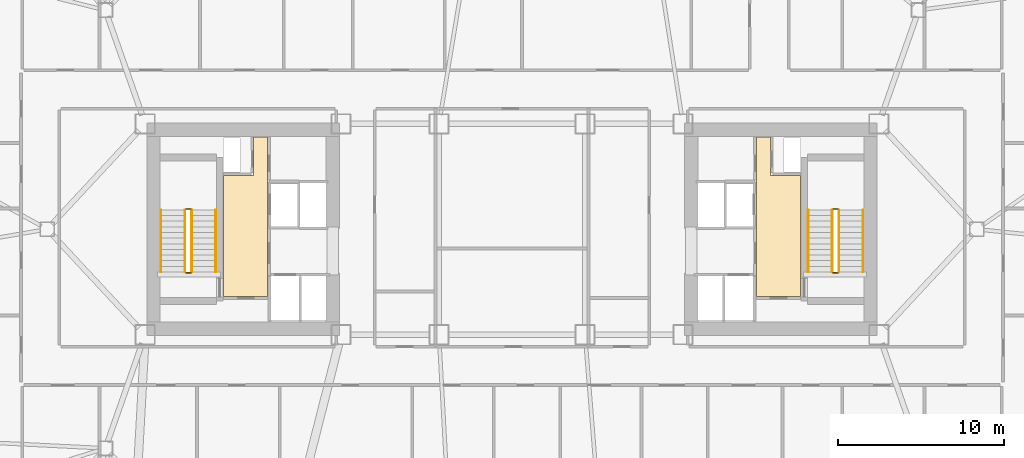
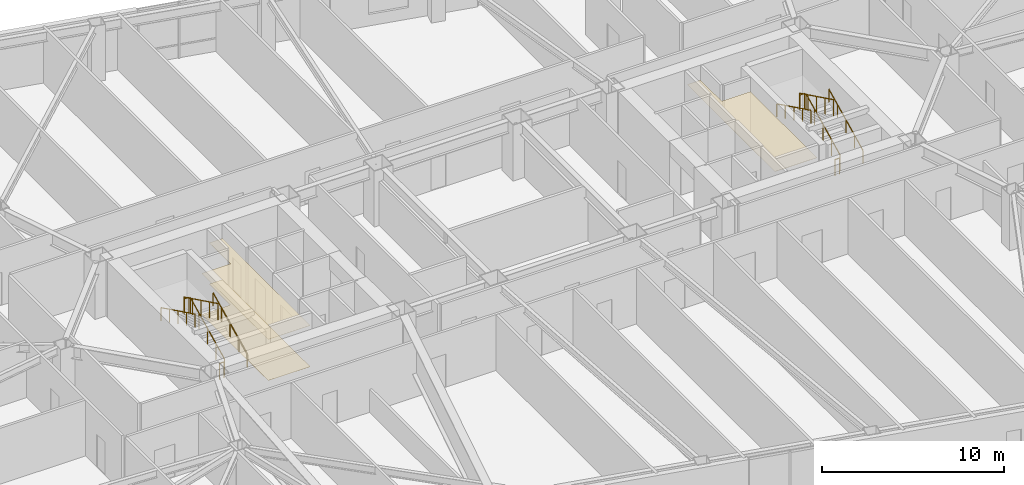
# One storey, part 21 of 21: 12 railings, 3 coverings.
"""IFC4 building model written with IfcOpenShell, lengths in metres."""

from ifc_helpers import new_model, si_unit, direction, frame, origin, origin_2d, place, context, subcontext, project, spatial, polyline, rectangle, outline, extrude, material, layer, layer_set, type_object, element, save


model = new_model("IFC4")

# Units and contexts
model_context = context("Model", 3, precision=1e-05, world=origin(), true_north=direction((0.0, 1.0)))
body_context = subcontext(model_context, "Body", "Model", "MODEL_VIEW")
ifc_project = project(units=[si_unit("LENGTHUNIT", "METRE"), si_unit("AREAUNIT", "SQUARE_METRE"), si_unit("VOLUMEUNIT", "CUBIC_METRE"), si_unit("PLANEANGLEUNIT", "RADIAN"), si_unit("MASSUNIT", "GRAM", prefix="KILO")], contexts=[model_context])

# Site, building, storey
site_placement = place(None, origin())
site = spatial("IfcSite", under=ifc_project, at=site_placement, CompositionType="ELEMENT")
building_placement = place(site_placement, origin())
building = spatial("IfcBuilding", under=site, at=building_placement, Name="Tavrogorsk Clinical Tower", CompositionType="ELEMENT")
storey_placement = place(building_placement, frame((0.0, 0.0, 43.39990234375)))
storey = spatial("IfcBuildingStorey", under=building, at=storey_placement, Name="L08", CompositionType="ELEMENT", Elevation=43.39990234375)

# Coverings
ifc_material_1 = material(Name="Antibacterial micro-perforated aluminium ceiling", Category="aluminium")
ifc_layer_1 = layer(ifc_material_1, 0.014892578125)
ifc_layer_set_1 = layer_set([ifc_layer_1], Name="Antibacterial micro-perforated aluminium ceiling")
covering_type_1 = type_object("IfcCoveringType", Name="ClinicalCeiling_15", PredefinedType="CEILING", material=ifc_layer_set_1)
covering_1_placement = place(storey_placement, frame((0.0, 0.0, 2.75)))
element("IfcCovering", 1, at=covering_1_placement, inside=storey, type_object=covering_type_1, Name="Core West Firefighting Lift Lobby Acoustic Ceiling", PredefinedType="CEILING", context=body_context, shape_type="SweptSolid", body=[
    extrude(outline(polyline([(-14.719970703125, 5.56005859375), (-14.719970703125, -4.06005859375), (-17.3798828125, -4.06005859375), (-17.3798828125, 3.239990234375), (-15.56005859375, 3.239990234375), (-15.56005859375, 5.56005859375), (-14.719970703125, 5.56005859375)])), origin(), (0.0, 0.0, 1.0), 0.01513671875),
])
covering_2_placement = place(storey_placement, frame((0.0, 0.0, 2.75)))
element("IfcCovering", 2, at=covering_2_placement, inside=storey, type_object=covering_type_1, Name="Core East Firefighting Lift Lobby Acoustic Ceiling", PredefinedType="CEILING", context=body_context, shape_type="SweptSolid", body=[
    extrude(outline(polyline([(17.3798828125, -4.06005859375), (14.719970703125, -4.06005859375), (14.719970703125, 5.56005859375), (15.56005859375, 5.56005859375), (15.56005859375, 3.239990234375), (17.3798828125, 3.239990234375), (17.3798828125, -4.06005859375)])), origin(), (0.0, 0.0, 1.0), 0.01513671875),
])
ifc_material_2 = material(Name="Homogeneous medical conductive PVC flooring")
ifc_layer_2 = layer(ifc_material_2, 0.008056640625)
ifc_layer_set_2 = layer_set([ifc_layer_2], Name="Homogeneous medical conductive PVC flooring")
covering_type_2 = type_object("IfcCoveringType", Name="ResilientVinylFloor_8", PredefinedType="FLOORING", material=ifc_layer_set_2)
covering_3_placement = place(storey_placement, origin())
element("IfcCovering", 3, at=covering_3_placement, inside=storey, type_object=covering_type_2, Name="Core West Firefighting Lift Lobby Conductive Vinyl Flooring", PredefinedType="FLOORING", context=body_context, shape_type="SweptSolid", body=[
    extrude(outline(polyline([(-14.719970703125, 5.56005859375), (-14.719970703125, -4.06005859375), (-17.3798828125, -4.06005859375), (-17.3798828125, 3.239990234375), (-15.56005859375, 3.239990234375), (-15.56005859375, 5.56005859375), (-14.719970703125, 5.56005859375)])), origin(), (0.0, 0.0, 1.0), 0.008056640625),
])

# Railings
ifc_material_3 = material(Name="Galvanised steel S355 safety stairwell guard", Category="steel")
ifc_layer_3 = layer(ifc_material_3, 0.06005859375)
ifc_layer_set_3 = layer_set([ifc_layer_3], Name="Galvanised steel S355 safety stairwell guard")
railing_type_1 = type_object("IfcRailingType", Name="StairGuard_1150", PredefinedType="GUARDRAIL", material=ifc_layer_set_3)
railing_1_placement = place(storey_placement, frame((-19.300048828125, -2.574951171875, 0.166748046875)))
element("IfcRailing", 4, at=railing_1_placement, inside=storey, type_object=railing_type_1, Name="L08 ST-W stair guard 1", PredefinedType="GUARDRAIL", context=body_context, shape_type="SweptSolid", body=[
    extrude(rectangle(XDim=0.048095703125, YDim=0.048095703125, at=origin_2d()), frame((0.0, 0.0, 1.076171875), z_axis=(0.0, 0.897927990467, 0.440142390523), x_axis=(-1.0, 0.0, 0.0)), (0.0, 0.0, 1.0), 4.1650390625),
    extrude(rectangle(XDim=0.0419921875, YDim=0.0419921875, at=origin_2d()), origin(), (0.0, 0.0, 1.0), 1.052001953125),
    extrude(rectangle(XDim=0.0419921875, YDim=0.0419921875, at=origin_2d()), frame((0.0, 0.93505859375, 0.458251953125)), (0.0, 0.0, 1.0), 1.052001953125),
    extrude(rectangle(XDim=0.0419921875, YDim=0.0419921875, at=origin_2d()), frame((0.0, 1.8701171875, 0.91650390625)), (0.0, 0.0, 1.0), 1.052001953125),
    extrude(rectangle(XDim=0.0419921875, YDim=0.0419921875, at=origin_2d()), frame((0.0, 2.804931640625, 1.375)), (0.0, 0.0, 1.0), 1.052001953125),
    extrude(rectangle(XDim=0.0419921875, YDim=0.0419921875, at=origin_2d()), frame((0.0, 3.739990234375, 1.833251953125)), (0.0, 0.0, 1.0), 1.052001953125),
])
railing_2_placement = place(storey_placement, frame((-19.35009765625, 1.215087890625, 2.0)))
element("IfcRailing", 5, at=railing_2_placement, inside=storey, type_object=railing_type_1, Name="L08 ST-W stair guard 2", PredefinedType="GUARDRAIL", context=body_context, shape_type="SweptSolid", body=[
    extrude(rectangle(XDim=0.048095703125, YDim=0.048095703125, at=origin_2d()), frame((0.0, 0.0, 1.076171875), z_axis=(-1.0, 0.0, 0.0), x_axis=(0.0, -1.0, 0.0)), (0.0, 0.0, 1.0), 0.2998046875),
    extrude(rectangle(XDim=0.0419921875, YDim=0.0419921875, at=origin_2d()), origin(), (0.0, 0.0, 1.0), 1.052001953125),
    extrude(rectangle(XDim=0.0419921875, YDim=0.0419921875, at=origin_2d()), frame((-0.2998046875, 0.0, 0.0)), (0.0, 0.0, 1.0), 1.052001953125),
])
railing_3_placement = place(storey_placement, frame((-19.699951171875, 1.1650390625, 2.166748046875)))
element("IfcRailing", 6, at=railing_3_placement, inside=storey, type_object=railing_type_1, Name="L08 ST-W stair guard 3", PredefinedType="GUARDRAIL", context=body_context, shape_type="SweptSolid", body=[
    extrude(rectangle(XDim=0.048095703125, YDim=0.048095703125, at=origin_2d()), frame((0.0, 0.0, 1.076171875), z_axis=(0.0, -0.897927990467, 0.440142390523), x_axis=(1.0, 0.0, 0.0)), (0.0, 0.0, 1.0), 4.1650390625),
    extrude(rectangle(XDim=0.0419921875, YDim=0.0419921875, at=origin_2d()), origin(), (0.0, 0.0, 1.0), 1.052001953125),
    extrude(rectangle(XDim=0.0419921875, YDim=0.0419921875, at=origin_2d()), frame((0.0, -0.93505859375, 0.458251953125)), (0.0, 0.0, 1.0), 1.052001953125),
    extrude(rectangle(XDim=0.0419921875, YDim=0.0419921875, at=origin_2d()), frame((0.0, -1.8701171875, 0.91650390625)), (0.0, 0.0, 1.0), 1.052001953125),
    extrude(rectangle(XDim=0.0419921875, YDim=0.0419921875, at=origin_2d()), frame((0.0, -2.804931640625, 1.375)), (0.0, 0.0, 1.0), 1.052001953125),
    extrude(rectangle(XDim=0.0419921875, YDim=0.0419921875, at=origin_2d()), frame((0.0, -3.739990234375, 1.833251953125)), (0.0, 0.0, 1.0), 1.052001953125),
])
railing_4_placement = place(storey_placement, frame((-19.35009765625, -2.625, 0.0)))
element("IfcRailing", 7, at=railing_4_placement, inside=storey, type_object=railing_type_1, Name="L08 ST-W stair guard 4", PredefinedType="GUARDRAIL", context=body_context, shape_type="SweptSolid", body=[
    extrude(rectangle(XDim=0.048095703125, YDim=0.048095703125, at=origin_2d()), frame((0.0, 0.0, 1.076171875), z_axis=(-1.0, 0.0, 0.0), x_axis=(0.0, -1.0, 0.0)), (0.0, 0.0, 1.0), 0.2998046875),
    extrude(rectangle(XDim=0.0419921875, YDim=0.0419921875, at=origin_2d()), origin(), (0.0, 0.0, 1.0), 1.052001953125),
    extrude(rectangle(XDim=0.0419921875, YDim=0.0419921875, at=origin_2d()), frame((-0.2998046875, 0.0, 0.0)), (0.0, 0.0, 1.0), 1.052001953125),
])
railing_5_placement = place(storey_placement, frame((19.699951171875, -2.574951171875, 0.166748046875)))
element("IfcRailing", 8, at=railing_5_placement, inside=storey, type_object=railing_type_1, Name="L08 ST-E stair guard 1", PredefinedType="GUARDRAIL", context=body_context, shape_type="SweptSolid", body=[
    extrude(rectangle(XDim=0.048095703125, YDim=0.048095703125, at=origin_2d()), frame((0.0, 0.0, 1.076171875), z_axis=(0.0, 0.897927990467, 0.440142390523), x_axis=(-1.0, 0.0, 0.0)), (0.0, 0.0, 1.0), 4.1650390625),
    extrude(rectangle(XDim=0.0419921875, YDim=0.0419921875, at=origin_2d()), origin(), (0.0, 0.0, 1.0), 1.052001953125),
    extrude(rectangle(XDim=0.0419921875, YDim=0.0419921875, at=origin_2d()), frame((0.0, 0.93505859375, 0.458251953125)), (0.0, 0.0, 1.0), 1.052001953125),
    extrude(rectangle(XDim=0.0419921875, YDim=0.0419921875, at=origin_2d()), frame((0.0, 1.8701171875, 0.91650390625)), (0.0, 0.0, 1.0), 1.052001953125),
    extrude(rectangle(XDim=0.0419921875, YDim=0.0419921875, at=origin_2d()), frame((0.0, 2.804931640625, 1.375)), (0.0, 0.0, 1.0), 1.052001953125),
    extrude(rectangle(XDim=0.0419921875, YDim=0.0419921875, at=origin_2d()), frame((0.0, 3.739990234375, 1.833251953125)), (0.0, 0.0, 1.0), 1.052001953125),
])
railing_6_placement = place(storey_placement, frame((19.64990234375, 1.215087890625, 2.0)))
element("IfcRailing", 9, at=railing_6_placement, inside=storey, type_object=railing_type_1, Name="L08 ST-E stair guard 2", PredefinedType="GUARDRAIL", context=body_context, shape_type="SweptSolid", body=[
    extrude(rectangle(XDim=0.048095703125, YDim=0.048095703125, at=origin_2d()), frame((0.0, 0.0, 1.076171875), z_axis=(-1.0, 0.0, 0.0), x_axis=(0.0, -1.0, 0.0)), (0.0, 0.0, 1.0), 0.2998046875),
    extrude(rectangle(XDim=0.0419921875, YDim=0.0419921875, at=origin_2d()), origin(), (0.0, 0.0, 1.0), 1.052001953125),
    extrude(rectangle(XDim=0.0419921875, YDim=0.0419921875, at=origin_2d()), frame((-0.2998046875, 0.0, 0.0)), (0.0, 0.0, 1.0), 1.052001953125),
])
railing_7_placement = place(storey_placement, frame((19.300048828125, 1.1650390625, 2.166748046875)))
element("IfcRailing", 10, at=railing_7_placement, inside=storey, type_object=railing_type_1, Name="L08 ST-E stair guard 3", PredefinedType="GUARDRAIL", context=body_context, shape_type="SweptSolid", body=[
    extrude(rectangle(XDim=0.048095703125, YDim=0.048095703125, at=origin_2d()), frame((0.0, 0.0, 1.076171875), z_axis=(0.0, -0.897927990467, 0.440142390523), x_axis=(1.0, 0.0, 0.0)), (0.0, 0.0, 1.0), 4.1650390625),
    extrude(rectangle(XDim=0.0419921875, YDim=0.0419921875, at=origin_2d()), origin(), (0.0, 0.0, 1.0), 1.052001953125),
    extrude(rectangle(XDim=0.0419921875, YDim=0.0419921875, at=origin_2d()), frame((0.0, -0.93505859375, 0.458251953125)), (0.0, 0.0, 1.0), 1.052001953125),
    extrude(rectangle(XDim=0.0419921875, YDim=0.0419921875, at=origin_2d()), frame((0.0, -1.8701171875, 0.91650390625)), (0.0, 0.0, 1.0), 1.052001953125),
    extrude(rectangle(XDim=0.0419921875, YDim=0.0419921875, at=origin_2d()), frame((0.0, -2.804931640625, 1.375)), (0.0, 0.0, 1.0), 1.052001953125),
    extrude(rectangle(XDim=0.0419921875, YDim=0.0419921875, at=origin_2d()), frame((0.0, -3.739990234375, 1.833251953125)), (0.0, 0.0, 1.0), 1.052001953125),
])
railing_8_placement = place(storey_placement, frame((19.64990234375, -2.625, 0.0)))
element("IfcRailing", 11, at=railing_8_placement, inside=storey, type_object=railing_type_1, Name="L08 ST-E stair guard 4", PredefinedType="GUARDRAIL", context=body_context, shape_type="SweptSolid", body=[
    extrude(rectangle(XDim=0.048095703125, YDim=0.048095703125, at=origin_2d()), frame((0.0, 0.0, 1.076171875), z_axis=(-1.0, 0.0, 0.0), x_axis=(0.0, -1.0, 0.0)), (0.0, 0.0, 1.0), 0.2998046875),
    extrude(rectangle(XDim=0.0419921875, YDim=0.0419921875, at=origin_2d()), origin(), (0.0, 0.0, 1.0), 1.052001953125),
    extrude(rectangle(XDim=0.0419921875, YDim=0.0419921875, at=origin_2d()), frame((-0.2998046875, 0.0, 0.0)), (0.0, 0.0, 1.0), 1.052001953125),
])
ifc_material_4 = material(Name="Stainless steel AISI 304 tubular handrail", Category="steel")
ifc_layer_4 = layer(ifc_material_4, 0.050048828125)
ifc_layer_set_4 = layer_set([ifc_layer_4], Name="Stainless steel AISI 304 tubular handrail")
railing_type_2 = type_object("IfcRailingType", Name="StairHandrail_920", PredefinedType="HANDRAIL", material=ifc_layer_set_4)
railing_9_placement = place(storey_placement, frame((-17.85009765625, -2.574951171875, 0.166748046875)))
element("IfcRailing", 12, at=railing_9_placement, inside=storey, type_object=railing_type_2, Name="L08 ST-W stair handrail 1", PredefinedType="HANDRAIL", context=body_context, shape_type="SweptSolid", body=[
    extrude(rectangle(XDim=0.048095703125, YDim=0.048095703125, at=origin_2d()), frame((0.0, 0.0, 0.8759765625), z_axis=(0.0, 0.897927990467, 0.440142390523), x_axis=(-1.0, 0.0, 0.0)), (0.0, 0.0, 1.0), 4.1650390625),
    extrude(rectangle(XDim=0.0419921875, YDim=0.0419921875, at=origin_2d()), origin(), (0.0, 0.0, 1.0), 0.851806640625),
    extrude(rectangle(XDim=0.0419921875, YDim=0.0419921875, at=origin_2d()), frame((0.0, 0.93505859375, 0.458251953125)), (0.0, 0.0, 1.0), 0.851806640625),
    extrude(rectangle(XDim=0.0419921875, YDim=0.0419921875, at=origin_2d()), frame((0.0, 1.8701171875, 0.91650390625)), (0.0, 0.0, 1.0), 0.851806640625),
    extrude(rectangle(XDim=0.0419921875, YDim=0.0419921875, at=origin_2d()), frame((0.0, 2.804931640625, 1.375)), (0.0, 0.0, 1.0), 0.851806640625),
    extrude(rectangle(XDim=0.0419921875, YDim=0.0419921875, at=origin_2d()), frame((0.0, 3.739990234375, 1.833251953125)), (0.0, 0.0, 1.0), 0.851806640625),
])
railing_10_placement = place(storey_placement, frame((-21.14990234375, 1.1650390625, 2.166748046875)))
element("IfcRailing", 13, at=railing_10_placement, inside=storey, type_object=railing_type_2, Name="L08 ST-W stair handrail 2", PredefinedType="HANDRAIL", context=body_context, shape_type="SweptSolid", body=[
    extrude(rectangle(XDim=0.048095703125, YDim=0.048095703125, at=origin_2d()), frame((0.0, 0.0, 0.8759765625), z_axis=(0.0, -0.897927990467, 0.440142390523), x_axis=(1.0, 0.0, 0.0)), (0.0, 0.0, 1.0), 4.1650390625),
    extrude(rectangle(XDim=0.0419921875, YDim=0.0419921875, at=origin_2d()), origin(), (0.0, 0.0, 1.0), 0.851806640625),
    extrude(rectangle(XDim=0.0419921875, YDim=0.0419921875, at=origin_2d()), frame((0.0, -0.93505859375, 0.458251953125)), (0.0, 0.0, 1.0), 0.851806640625),
    extrude(rectangle(XDim=0.0419921875, YDim=0.0419921875, at=origin_2d()), frame((0.0, -1.8701171875, 0.91650390625)), (0.0, 0.0, 1.0), 0.851806640625),
    extrude(rectangle(XDim=0.0419921875, YDim=0.0419921875, at=origin_2d()), frame((0.0, -2.804931640625, 1.375)), (0.0, 0.0, 1.0), 0.851806640625),
    extrude(rectangle(XDim=0.0419921875, YDim=0.0419921875, at=origin_2d()), frame((0.0, -3.739990234375, 1.833251953125)), (0.0, 0.0, 1.0), 0.851806640625),
])
railing_11_placement = place(storey_placement, frame((21.14990234375, -2.574951171875, 0.166748046875)))
element("IfcRailing", 14, at=railing_11_placement, inside=storey, type_object=railing_type_2, Name="L08 ST-E stair handrail 1", PredefinedType="HANDRAIL", context=body_context, shape_type="SweptSolid", body=[
    extrude(rectangle(XDim=0.048095703125, YDim=0.048095703125, at=origin_2d()), frame((0.0, 0.0, 0.8759765625), z_axis=(0.0, 0.897927990467, 0.440142390523), x_axis=(-1.0, 0.0, 0.0)), (0.0, 0.0, 1.0), 4.1650390625),
    extrude(rectangle(XDim=0.0419921875, YDim=0.0419921875, at=origin_2d()), origin(), (0.0, 0.0, 1.0), 0.851806640625),
    extrude(rectangle(XDim=0.0419921875, YDim=0.0419921875, at=origin_2d()), frame((0.0, 0.93505859375, 0.458251953125)), (0.0, 0.0, 1.0), 0.851806640625),
    extrude(rectangle(XDim=0.0419921875, YDim=0.0419921875, at=origin_2d()), frame((0.0, 1.8701171875, 0.91650390625)), (0.0, 0.0, 1.0), 0.851806640625),
    extrude(rectangle(XDim=0.0419921875, YDim=0.0419921875, at=origin_2d()), frame((0.0, 2.804931640625, 1.375)), (0.0, 0.0, 1.0), 0.851806640625),
    extrude(rectangle(XDim=0.0419921875, YDim=0.0419921875, at=origin_2d()), frame((0.0, 3.739990234375, 1.833251953125)), (0.0, 0.0, 1.0), 0.851806640625),
])
railing_12_placement = place(storey_placement, frame((17.85009765625, 1.1650390625, 2.166748046875)))
element("IfcRailing", 15, at=railing_12_placement, inside=storey, type_object=railing_type_2, Name="L08 ST-E stair handrail 2", PredefinedType="HANDRAIL", context=body_context, shape_type="SweptSolid", body=[
    extrude(rectangle(XDim=0.048095703125, YDim=0.048095703125, at=origin_2d()), frame((0.0, 0.0, 0.8759765625), z_axis=(0.0, -0.897927990467, 0.440142390523), x_axis=(1.0, 0.0, 0.0)), (0.0, 0.0, 1.0), 4.1650390625),
    extrude(rectangle(XDim=0.0419921875, YDim=0.0419921875, at=origin_2d()), origin(), (0.0, 0.0, 1.0), 0.851806640625),
    extrude(rectangle(XDim=0.0419921875, YDim=0.0419921875, at=origin_2d()), frame((0.0, -0.93505859375, 0.458251953125)), (0.0, 0.0, 1.0), 0.851806640625),
    extrude(rectangle(XDim=0.0419921875, YDim=0.0419921875, at=origin_2d()), frame((0.0, -1.8701171875, 0.91650390625)), (0.0, 0.0, 1.0), 0.851806640625),
    extrude(rectangle(XDim=0.0419921875, YDim=0.0419921875, at=origin_2d()), frame((0.0, -2.804931640625, 1.375)), (0.0, 0.0, 1.0), 0.851806640625),
    extrude(rectangle(XDim=0.0419921875, YDim=0.0419921875, at=origin_2d()), frame((0.0, -3.739990234375, 1.833251953125)), (0.0, 0.0, 1.0), 0.851806640625),
])

save(model, "model.ifc")
